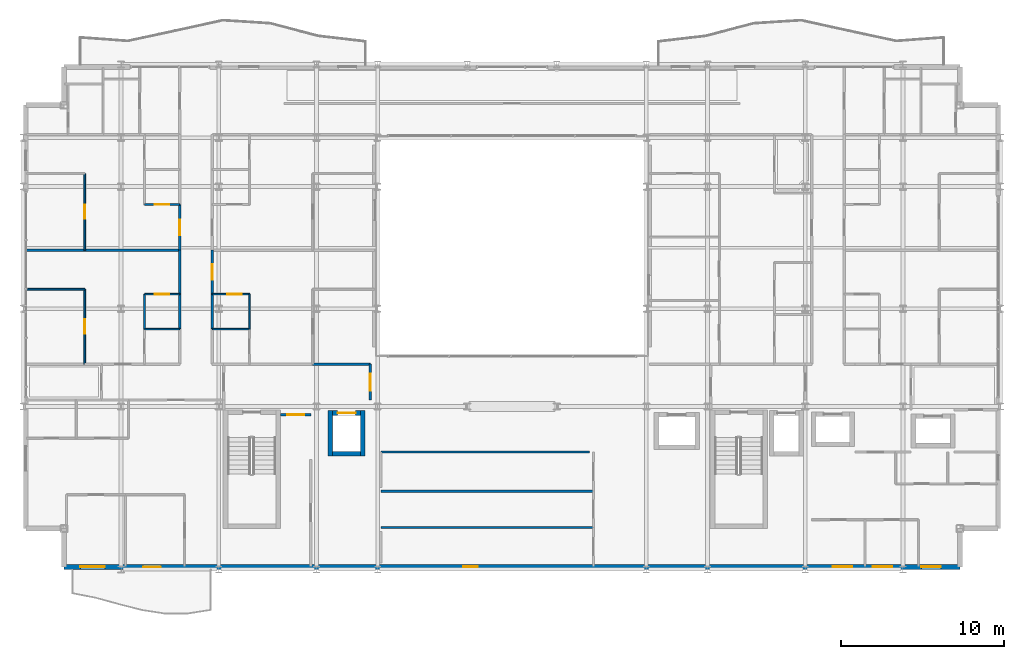
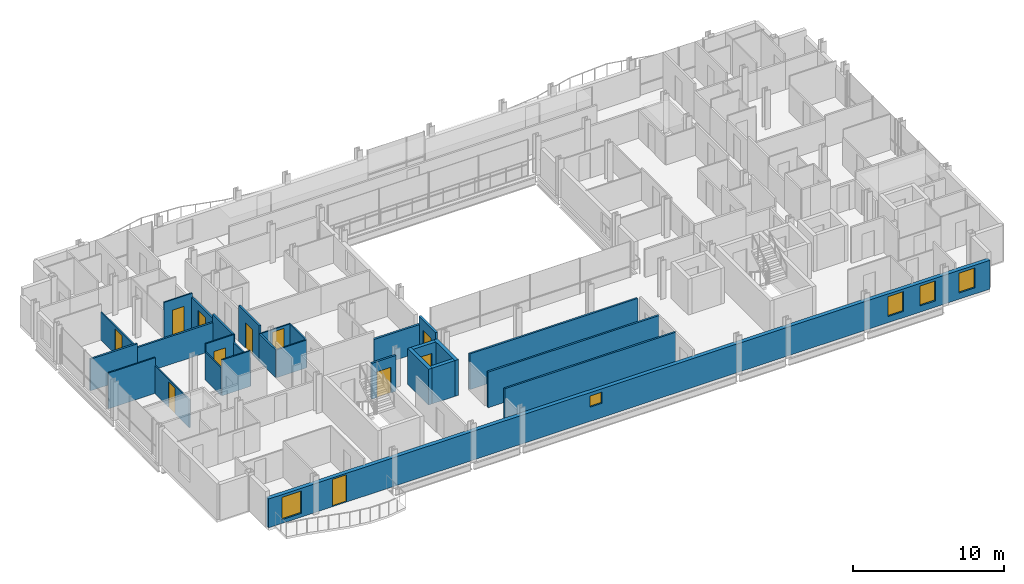
# One storey, part 32 of 41: 28 walls, 11 doors, 5 windows, 16 openings.
"""IFC4 building model written with IfcOpenShell, lengths in metres."""

from ifc_helpers import new_model, si_unit, direction, frame, frame_2d, origin, place, context, subcontext, project, spatial, rectangle, extrude, material, layer, layer_set, type_object, element, fill, save


model = new_model("IFC4")

# Units and contexts
model_context = context("Model", 3, precision=1e-05, world=origin(), true_north=direction((0.0, 1.0)))
body_context = subcontext(model_context, "Body", "Model", "MODEL_VIEW")
ifc_project = project(units=[si_unit("LENGTHUNIT", "METRE"), si_unit("AREAUNIT", "SQUARE_METRE"), si_unit("VOLUMEUNIT", "CUBIC_METRE"), si_unit("PLANEANGLEUNIT", "RADIAN"), si_unit("MASSUNIT", "GRAM", prefix="KILO")], contexts=[model_context])

# Site, building, storey
site_placement = place(None, origin())
site = spatial("IfcSite", under=ifc_project, at=site_placement, CompositionType="ELEMENT")
building_placement = place(site_placement, origin())
building = spatial("IfcBuilding", under=site, at=building_placement, Name="Brevholm Reach", CompositionType="ELEMENT")
storey_placement = place(building_placement, frame((0.0, 0.0, 112.800048828125)))
storey = spatial("IfcBuildingStorey", under=building, at=storey_placement, Name="L33", CompositionType="ELEMENT", Elevation=112.800048828125)

# Walls
ifc_material_1 = material(Name="Concrete C50/60", Category="concrete")
ifc_layer_1 = layer(ifc_material_1, 0.280029296875)
ifc_layer_set_1 = layer_set([ifc_layer_1], Name="Concrete C50/60")
wall_type_1 = type_object("IfcWallType", Name="WAL-COR-280", PredefinedType="SHEAR", material=ifc_layer_set_1)
for number, where, z_axis, x_axis, name in (
    (1, (18.85009765625, 6.9599609375, 0.0), (0.0, 0.0, 1.0), (0.0, 1.0, 0.0), "L33 Lift FFL-1 Shaft Wall W"),
    (2, (20.85009765625, 6.9599609375, 0.0), (0.0, 0.0, 1.0), (0.0, 1.0, 0.0), "L33 Lift FFL-1 Shaft Wall E"),
):
    element("IfcWall", number, at=place(storey_placement, frame(where, z_axis=z_axis, x_axis=x_axis)), inside=storey, type_object=wall_type_1, Name=name, PredefinedType="SHEAR", context=body_context, shape_type="SweptSolid", body=[
        extrude(rectangle(XDim=2.780029296875, YDim=0.280029296875, at=frame_2d((1.39013671875, 0.0))), origin(), (0.0, 0.0, 1.0), 2.8798828125),
    ])
wall_1_placement = place(storey_placement, frame((18.989990234375, 7.10009765625, 0.0), z_axis=(0.0, 0.0, 1.0), x_axis=(1.0, 0.0, 0.0)))
element("IfcWall", 3, at=wall_1_placement, inside=storey, type_object=wall_type_1, Name="L33 Lift FFL-1 Shaft Wall S", PredefinedType="SHEAR", context=body_context, shape_type="SweptSolid", body=[
    extrude(rectangle(XDim=1.719970703125, YDim=0.280029296875, at=frame_2d((0.85986328125, 0.0))), origin(), (0.0, 0.0, 1.0), 2.8798828125),
])

# Wall, opening, door
wall_2_placement = place(storey_placement, frame((18.989990234375, 9.60009765625, 0.0), z_axis=(0.0, 0.0, 1.0), x_axis=(1.0, 0.0, 0.0)))
wall_2 = element("IfcWall", 4, at=wall_2_placement, inside=storey, type_object=wall_type_1, Name="L33 Lift FFL-1 Shaft Wall N", PredefinedType="SHEAR", context=body_context, shape_type="SweptSolid", body=[
    extrude(rectangle(XDim=1.719970703125, YDim=0.280029296875, at=frame_2d((0.85986328125, 0.0))), origin(), (0.0, 0.0, 1.0), 2.8798828125),
])
opening_1_placement = place(wall_2_placement, frame((0.31005859375, 0.0, 0.0)))
opening_1 = element("IfcOpeningElement", 5, at=opening_1_placement, cuts=wall_2, Name="Opening LD-FFL-1", PredefinedType="OPENING", context=body_context, shape_type="SweptSolid", body=[
    extrude(rectangle(XDim=1.10009765625, YDim=2.06005859375, at=frame_2d((0.550048828125, 1.030029296875))), frame((0.0, 0.14990234375, 0.0), z_axis=(0.0, -1.0, 0.0), x_axis=(1.0, 0.0, 0.0)), (0.0, 0.0, 1.0), 0.300048828125),
])
ifc_material_2 = material(Name="Brushed Stainless Steel Fire-Rated Sliding Lift Door", Category="steel")
door_type_1 = type_object("IfcDoorType", Name="DOR-LFT-1100", OperationType="NOTDEFINED", PredefinedType="DOOR", material=ifc_material_2)
door_1_placement = place(opening_1_placement, origin())
door_1 = element("IfcDoor", 6, at=door_1_placement, inside=storey, type_object=door_type_1, Name="L33 Lift FFL-1 Sliding Landing Door", OperationType="SLIDING_TO_LEFT", OverallHeight=2.06005859375, OverallWidth=1.10009765625, PredefinedType="DOOR", context=body_context, shape_type="SweptSolid", body=[
    extrude(rectangle(XDim=1.10009765625, YDim=2.06005859375, at=frame_2d((0.550048828125, 1.030029296875))), frame((0.0, 0.02490234375, 0.0), z_axis=(0.0, -1.0, 0.0), x_axis=(1.0, 0.0, 0.0)), (0.0, 0.0, 1.0), 0.050048828125),
])
fill(opening_1, door_1)

# Wall, openings, door, windows
ifc_material_3 = material(Name="Concrete C40/50", Category="concrete")
ifc_layer_2 = layer(ifc_material_3, 0.300048828125)
ifc_layer_set_2 = layer_set([ifc_layer_2], Name="Concrete C40/50")
wall_type_2 = type_object("IfcWallType", Name="WAL-EXT-300", PredefinedType="STANDARD", material=ifc_layer_set_2)
wall_3_placement = place(storey_placement, frame((2.5, 0.14990234375, 0.0), z_axis=(0.0, 0.0, 1.0), x_axis=(1.0, 0.0, 0.0)))
wall_3 = element("IfcWall", 7, at=wall_3_placement, inside=storey, type_object=wall_type_2, Name="L33 Facade Wall WAL-L33-S", PredefinedType="STANDARD", context=body_context, shape_type="SweptSolid", body=[
    extrude(rectangle(XDim=55.0, YDim=0.300048828125, at=frame_2d((27.5, 0.0))), origin(), (0.0, 0.0, 1.0), 2.32177734375),
])
opening_2_placement = place(wall_3_placement, frame((4.85009765625, 0.0, 0.0)))
opening_2 = element("IfcOpeningElement", 8, at=opening_2_placement, cuts=wall_3, Name="Opening BD-01", PredefinedType="OPENING", context=body_context, shape_type="SweptSolid", body=[
    extrude(rectangle(XDim=1.10009765625, YDim=2.199951171875, at=frame_2d((0.550048828125, 1.10009765625))), frame((0.0, 0.159912109375, 0.0), z_axis=(0.0, -1.0, 0.0), x_axis=(1.0, 0.0, 0.0)), (0.0, 0.0, 1.0), 0.320068359375),
])
opening_3_placement = place(wall_3_placement, frame((1.0, 0.0, 0.302001953125)))
opening_3 = element("IfcOpeningElement", 9, at=opening_3_placement, cuts=wall_3, Name="Opening WN-05", PredefinedType="OPENING", context=body_context, shape_type="SweptSolid", body=[
    extrude(rectangle(XDim=1.5, YDim=1.800048828125, at=frame_2d((0.75, 0.89990234375))), frame((0.0, 0.159912109375, 0.0), z_axis=(0.0, -1.0, 0.0), x_axis=(1.0, 0.0, 0.0)), (0.0, 0.0, 1.0), 0.320068359375),
])
opening_4_placement = place(wall_3_placement, frame((24.5, 0.0, 1.14990234375)))
opening_4 = element("IfcOpeningElement", 10, at=opening_4_placement, cuts=wall_3, Name="Opening WN-09", PredefinedType="OPENING", context=body_context, shape_type="SweptSolid", body=[
    extrude(rectangle(XDim=0.89990234375, YDim=0.89990234375, at=frame_2d((0.449951171875, 0.449951171875))), frame((0.0, 0.159912109375, 0.0), z_axis=(0.0, -1.0, 0.0), x_axis=(1.0, 0.0, 0.0)), (0.0, 0.0, 1.0), 0.320068359375),
])
opening_5_placement = place(wall_3_placement, frame((47.199951171875, 0.0, 0.501953125)))
opening_5 = element("IfcOpeningElement", 11, at=opening_5_placement, cuts=wall_3, Name="Opening WN-08", PredefinedType="OPENING", context=body_context, shape_type="SweptSolid", body=[
    extrude(rectangle(XDim=1.199951171875, YDim=1.60009765625, at=frame_2d((0.60009765625, 0.800048828125))), frame((0.0, 0.159912109375, 0.0), z_axis=(0.0, -1.0, 0.0), x_axis=(1.0, 0.0, 0.0)), (0.0, 0.0, 1.0), 0.320068359375),
])
opening_6_placement = place(wall_3_placement, frame((52.6298828125, 0.0, 0.501953125)))
opening_6 = element("IfcOpeningElement", 12, at=opening_6_placement, cuts=wall_3, Name="Opening WN-08", PredefinedType="OPENING", context=body_context, shape_type="SweptSolid", body=[
    extrude(rectangle(XDim=1.199951171875, YDim=1.60009765625, at=frame_2d((0.60009765625, 0.800048828125))), frame((0.0, 0.159912109375, 0.0), z_axis=(0.0, -1.0, 0.0), x_axis=(1.0, 0.0, 0.0)), (0.0, 0.0, 1.0), 0.320068359375),
])
opening_7_placement = place(wall_3_placement, frame((49.643310546875, 0.0, 0.501953125)))
opening_7 = element("IfcOpeningElement", 13, at=opening_7_placement, cuts=wall_3, Name="Opening WN-08", PredefinedType="OPENING", context=body_context, shape_type="SweptSolid", body=[
    extrude(rectangle(XDim=1.199951171875, YDim=1.60009765625, at=frame_2d((0.60009765625, 0.800048828125))), frame((0.0, 0.159912109375, 0.0), z_axis=(0.0, -1.0, 0.0), x_axis=(1.0, 0.0, 0.0)), (0.0, 0.0, 1.0), 0.320068359375),
])
ifc_material_4 = material(Name="Dark Anodised Aluminium and Triple-Glazed Glass", Category="aluminium")
door_type_2 = type_object("IfcDoorType", Name="DOR-BALC-1100", OperationType="NOTDEFINED", PredefinedType="DOOR", material=ifc_material_4)
door_2_placement = place(opening_2_placement, origin())
door_2 = element("IfcDoor", 14, at=door_2_placement, inside=storey, type_object=door_type_2, Name="L33 Exterior Door DOR-L33-BL-SW", OperationType="SINGLE_SWING_LEFT", OverallHeight=2.199951171875, OverallWidth=1.10009765625, PredefinedType="DOOR", context=body_context, shape_type="SweptSolid", body=[
    extrude(rectangle(XDim=1.10009765625, YDim=2.199951171875, at=frame_2d((0.550048828125, 1.10009765625))), frame((0.0, 0.02490234375, 0.0), z_axis=(0.0, -1.0, 0.0), x_axis=(1.0, 0.0, 0.0)), (0.0, 0.0, 1.0), 0.050048828125),
])
fill(opening_2, door_2)
ifc_material_5 = material(Name="Dark Anodised Aluminium and Solar-Control IGU Glass", Category="aluminium")
window_type_1 = type_object("IfcWindowType", Name="WIN-POR-0900", PartitioningType="SINGLE_PANEL", PredefinedType="WINDOW", material=ifc_material_5)
window_1_placement = place(opening_4_placement, origin())
window_1 = element("IfcWindow", 15, at=window_1_placement, inside=storey, type_object=window_type_1, Name="L33 Window WIN-L33-S-POR", OverallHeight=0.89990234375, OverallWidth=0.89990234375, PartitioningType="SINGLE_PANEL", PredefinedType="WINDOW", context=body_context, shape_type="SweptSolid", body=[
    extrude(rectangle(XDim=0.89990234375, YDim=0.89990234375, at=frame_2d((0.449951171875, 0.449951171875))), frame((0.0, 0.030029296875, 0.0), z_axis=(0.0, -1.0, 0.0), x_axis=(1.0, 0.0, 0.0)), (0.0, 0.0, 1.0), 0.06005859375),
])
fill(opening_4, window_1)
ifc_material_6 = material(Name="Dark Anodised Aluminium and Solar-Control IGU Glass", Category="aluminium")
window_type_2 = type_object("IfcWindowType", Name="WIN-RES-1200", PartitioningType="SINGLE_PANEL", PredefinedType="WINDOW", material=ifc_material_6)
window_2_placement = place(opening_5_placement, origin())
window_2 = element("IfcWindow", 16, at=window_2_placement, inside=storey, type_object=window_type_2, Name="L33 Window WIN-L33-S-E1", OverallHeight=1.60009765625, OverallWidth=1.199951171875, PartitioningType="SINGLE_PANEL", PredefinedType="WINDOW", context=body_context, shape_type="SweptSolid", body=[
    extrude(rectangle(XDim=1.199951171875, YDim=1.60009765625, at=frame_2d((0.60009765625, 0.800048828125))), frame((0.0, 0.030029296875, 0.0), z_axis=(0.0, -1.0, 0.0), x_axis=(1.0, 0.0, 0.0)), (0.0, 0.0, 1.0), 0.06005859375),
])
fill(opening_5, window_2)
window_3_placement = place(opening_6_placement, origin())
window_3 = element("IfcWindow", 17, at=window_3_placement, inside=storey, type_object=window_type_2, Name="L33 Window WIN-L33-S-E2", OverallHeight=1.60009765625, OverallWidth=1.199951171875, PartitioningType="SINGLE_PANEL", PredefinedType="WINDOW", context=body_context, shape_type="SweptSolid", body=[
    extrude(rectangle(XDim=1.199951171875, YDim=1.60009765625, at=frame_2d((0.60009765625, 0.800048828125))), frame((0.0, 0.030029296875, 0.0), z_axis=(0.0, -1.0, 0.0), x_axis=(1.0, 0.0, 0.0)), (0.0, 0.0, 1.0), 0.06005859375),
])
fill(opening_6, window_3)
window_4_placement = place(opening_7_placement, origin())
window_4 = element("IfcWindow", 18, at=window_4_placement, inside=storey, type_object=window_type_2, Name="L33 Bedroom Window 037", OverallHeight=1.60009765625, OverallWidth=1.199951171875, PartitioningType="SINGLE_PANEL", PredefinedType="WINDOW", context=body_context, shape_type="SweptSolid", body=[
    extrude(rectangle(XDim=1.199951171875, YDim=1.60009765625, at=frame_2d((0.60009765625, 0.800048828125))), frame((0.0, 0.030029296875, 0.0), z_axis=(0.0, -1.0, 0.0), x_axis=(1.0, 0.0, 0.0)), (0.0, 0.0, 1.0), 0.06005859375),
])
fill(opening_7, window_4)
ifc_material_7 = material(Name="Dark Anodised Aluminium and Solar-Control IGU Glass", Category="aluminium")
window_type_3 = type_object("IfcWindowType", Name="WIN-RES-1500", PartitioningType="SINGLE_PANEL", PredefinedType="WINDOW", material=ifc_material_7)
window_5_placement = place(opening_3_placement, origin())
window_5 = element("IfcWindow", 19, at=window_5_placement, inside=storey, type_object=window_type_3, Name="L33 Window WIN-L33-S-W1", OverallHeight=1.800048828125, OverallWidth=1.5, PartitioningType="SINGLE_PANEL", PredefinedType="WINDOW", context=body_context, shape_type="SweptSolid", body=[
    extrude(rectangle(XDim=1.5, YDim=1.800048828125, at=frame_2d((0.75, 0.89990234375))), frame((0.0, 0.030029296875, 0.0), z_axis=(0.0, -1.0, 0.0), x_axis=(1.0, 0.0, 0.0)), (0.0, 0.0, 1.0), 0.06005859375),
])
fill(opening_3, window_5)

# Wall
ifc_material_8 = material(Name="Moisture-Resistant Acoustic Gypsum Stud Partition 100 mm", Category="gypsum")
ifc_layer_3 = layer(ifc_material_8, 0.10009765625)
ifc_layer_set_3 = layer_set([ifc_layer_3], Name="Moisture-Resistant Acoustic Gypsum Stud Partition 100 mm")
wall_type_3 = type_object("IfcWallType", Name="WAL-PRT-100", PredefinedType="PARTITIONING", material=ifc_layer_set_3)
wall_4_placement = place(storey_placement, frame((7.43798828125, 14.75, 0.0), z_axis=(0.0, 0.0, 1.0), x_axis=(1.0, 0.0, 0.0)))
element("IfcWall", 20, at=wall_4_placement, inside=storey, type_object=wall_type_3, Name="L33 Internal Partition 087", PredefinedType="PARTITIONING", context=body_context, shape_type="SweptSolid", body=[
    extrude(rectangle(XDim=2.157958984375, YDim=0.10009765625, at=frame_2d((1.0791015625, 0.0))), origin(), (0.0, 0.0, 1.0), 2.8798828125),
])

# Wall, opening, door
wall_5_placement = place(storey_placement, frame((7.43798828125, 16.89990234375, 0.0), z_axis=(0.0, 0.0, 1.0), x_axis=(1.0, 0.0, 0.0)))
wall_5 = element("IfcWall", 21, at=wall_5_placement, inside=storey, type_object=wall_type_3, Name="L33 Internal Partition 089", PredefinedType="PARTITIONING", context=body_context, shape_type="SweptSolid", body=[
    extrude(rectangle(XDim=2.157958984375, YDim=0.10009765625, at=frame_2d((1.0791015625, 0.0))), origin(), (0.0, 0.0, 1.0), 2.8798828125),
])
opening_8_placement = place(wall_5_placement, frame((0.638916015625, 0.0, 0.0)))
opening_8 = element("IfcOpeningElement", 22, at=opening_8_placement, cuts=wall_5, Name="Opening ID-01", PredefinedType="OPENING", context=body_context, shape_type="SweptSolid", body=[
    extrude(rectangle(XDim=0.8798828125, YDim=2.0400390625, at=frame_2d((0.43994140625, 1.02001953125))), frame((0.0, 0.06005859375, 0.0), z_axis=(0.0, -1.0, 0.0), x_axis=(1.0, 0.0, 0.0)), (0.0, 0.0, 1.0), 0.1201171875),
])
ifc_material_9 = material(Name="Lacquered Ash Solid-Core Acoustic Internal Door", Category="timber")
door_type_3 = type_object("IfcDoorType", Name="DOR-INT-880", OperationType="NOTDEFINED", PredefinedType="DOOR", material=ifc_material_9)
door_3_placement = place(opening_8_placement, origin())
door_3 = element("IfcDoor", 23, at=door_3_placement, inside=storey, type_object=door_type_3, Name="L33 Internal Door 033", OperationType="SINGLE_SWING_LEFT", OverallHeight=2.0400390625, OverallWidth=0.8798828125, PredefinedType="DOOR", context=body_context, shape_type="SweptSolid", body=[
    extrude(rectangle(XDim=0.8798828125, YDim=2.0400390625, at=frame_2d((0.43994140625, 1.02001953125))), frame((0.0, 0.02490234375, 0.0), z_axis=(0.0, -1.0, 0.0), x_axis=(1.0, 0.0, 0.0)), (0.0, 0.0, 1.0), 0.050048828125),
])
fill(opening_8, door_3)

# Wall
wall_6_placement = place(storey_placement, frame((7.43798828125, 14.75390625, 0.0), z_axis=(0.0, 0.0, 1.0), x_axis=(0.0, 1.0, 0.0)))
element("IfcWall", 24, at=wall_6_placement, inside=storey, type_object=wall_type_3, Name="L33 Internal Partition 090", PredefinedType="PARTITIONING", context=body_context, shape_type="SweptSolid", body=[
    extrude(rectangle(XDim=2.14599609375, YDim=0.10009765625, at=frame_2d((1.072998046875, 0.0))), origin(), (0.0, 0.0, 1.0), 2.24267578125),
])

# Wall, opening, door
wall_7_placement = place(storey_placement, frame((3.77197265625, 12.60400390625, 0.0), z_axis=(0.0, 0.0, 1.0), x_axis=(0.0, 1.0, 0.0)))
wall_7 = element("IfcWall", 25, at=wall_7_placement, inside=storey, type_object=wall_type_3, Name="L33 Internal Partition 091", PredefinedType="PARTITIONING", context=body_context, shape_type="SweptSolid", body=[
    extrude(rectangle(XDim=4.595947265625, YDim=0.10009765625, at=frame_2d((2.2978515625, 0.0))), origin(), (0.0, 0.0, 1.0), 2.24267578125),
])
opening_9_placement = place(wall_7_placement, frame((1.85791015625, 0.0, 0.0)))
opening_9 = element("IfcOpeningElement", 26, at=opening_9_placement, cuts=wall_7, Name="Opening ID-01", PredefinedType="OPENING", context=body_context, shape_type="SweptSolid", body=[
    extrude(rectangle(XDim=0.8798828125, YDim=2.0400390625, at=frame_2d((0.43994140625, 1.02001953125))), frame((0.0, 0.06005859375, 0.0), z_axis=(0.0, -1.0, 0.0), x_axis=(1.0, 0.0, 0.0)), (0.0, 0.0, 1.0), 0.1201171875),
])
door_4_placement = place(opening_9_placement, origin())
door_4 = element("IfcDoor", 27, at=door_4_placement, inside=storey, type_object=door_type_3, Name="L33 Internal Door 034", OperationType="SINGLE_SWING_RIGHT", OverallHeight=2.0400390625, OverallWidth=0.8798828125, PredefinedType="DOOR", context=body_context, shape_type="SweptSolid", body=[
    extrude(rectangle(XDim=0.8798828125, YDim=2.0400390625, at=frame_2d((0.43994140625, 1.02001953125))), frame((0.0, 0.02490234375, 0.0), z_axis=(0.0, -1.0, 0.0), x_axis=(1.0, 0.0, 0.0)), (0.0, 0.0, 1.0), 0.050048828125),
])
fill(opening_9, door_4)

# Wall
wall_8_placement = place(storey_placement, frame((0.199951171875, 17.199951171875, 0.0), z_axis=(0.0, 0.0, 1.0), x_axis=(1.0, 0.0, 0.0)))
element("IfcWall", 28, at=wall_8_placement, inside=storey, type_object=wall_type_3, Name="L33 Internal Partition 092", PredefinedType="PARTITIONING", context=body_context, shape_type="SweptSolid", body=[
    extrude(rectangle(XDim=3.572021484375, YDim=0.10009765625, at=frame_2d((1.7861328125, 0.0))), origin(), (0.0, 0.0, 1.0), 2.8798828125),
])

# Wall, opening, door
wall_9_placement = place(storey_placement, frame((7.43798828125, 22.39990234375, 0.0), z_axis=(0.0, 0.0, 1.0), x_axis=(1.0, 0.0, 0.0)))
wall_9 = element("IfcWall", 29, at=wall_9_placement, inside=storey, type_object=wall_type_3, Name="L33 Internal Partition 098", PredefinedType="PARTITIONING", context=body_context, shape_type="SweptSolid", body=[
    extrude(rectangle(XDim=2.157958984375, YDim=0.10009765625, at=frame_2d((1.0791015625, 0.0))), origin(), (0.0, 0.0, 1.0), 2.8798828125),
])
opening_10_placement = place(wall_9_placement, frame((0.638916015625, 0.0, 0.0)))
opening_10 = element("IfcOpeningElement", 30, at=opening_10_placement, cuts=wall_9, Name="Opening ID-01", PredefinedType="OPENING", context=body_context, shape_type="SweptSolid", body=[
    extrude(rectangle(XDim=0.8798828125, YDim=2.0400390625, at=frame_2d((0.43994140625, 1.02001953125))), frame((0.0, 0.06005859375, 0.0), z_axis=(0.0, -1.0, 0.0), x_axis=(1.0, 0.0, 0.0)), (0.0, 0.0, 1.0), 0.1201171875),
])
door_5_placement = place(opening_10_placement, origin())
door_5 = element("IfcDoor", 31, at=door_5_placement, inside=storey, type_object=door_type_3, Name="L33 Internal Door 036", OperationType="SINGLE_SWING_RIGHT", OverallHeight=2.0400390625, OverallWidth=0.8798828125, PredefinedType="DOOR", context=body_context, shape_type="SweptSolid", body=[
    extrude(rectangle(XDim=0.8798828125, YDim=2.0400390625, at=frame_2d((0.43994140625, 1.02001953125))), frame((0.0, 0.02490234375, 0.0), z_axis=(0.0, -1.0, 0.0), x_axis=(1.0, 0.0, 0.0)), (0.0, 0.0, 1.0), 0.050048828125),
])
fill(opening_10, door_5)

wall_10_placement = place(storey_placement, frame((3.77197265625, 19.60400390625, 0.0), z_axis=(0.0, 0.0, 1.0), x_axis=(0.0, 1.0, 0.0)))
wall_10 = element("IfcWall", 32, at=wall_10_placement, inside=storey, type_object=wall_type_3, Name="L33 Internal Partition 100", PredefinedType="PARTITIONING", context=body_context, shape_type="SweptSolid", body=[
    extrude(rectangle(XDim=4.696044921875, YDim=0.10009765625, at=frame_2d((2.34814453125, 0.0))), origin(), (0.0, 0.0, 1.0), 2.24267578125),
])
opening_11_placement = place(wall_10_placement, frame((1.907958984375, 0.0, 0.0)))
opening_11 = element("IfcOpeningElement", 33, at=opening_11_placement, cuts=wall_10, Name="Opening ID-01", PredefinedType="OPENING", context=body_context, shape_type="SweptSolid", body=[
    extrude(rectangle(XDim=0.8798828125, YDim=2.0400390625, at=frame_2d((0.43994140625, 1.02001953125))), frame((0.0, 0.06005859375, 0.0), z_axis=(0.0, -1.0, 0.0), x_axis=(1.0, 0.0, 0.0)), (0.0, 0.0, 1.0), 0.1201171875),
])
door_6_placement = place(opening_11_placement, origin())
door_6 = element("IfcDoor", 34, at=door_6_placement, inside=storey, type_object=door_type_3, Name="L33 Internal Door 037", OperationType="SINGLE_SWING_LEFT", OverallHeight=2.0400390625, OverallWidth=0.8798828125, PredefinedType="DOOR", context=body_context, shape_type="SweptSolid", body=[
    extrude(rectangle(XDim=0.8798828125, YDim=2.0400390625, at=frame_2d((0.43994140625, 1.02001953125))), frame((0.0, 0.02490234375, 0.0), z_axis=(0.0, -1.0, 0.0), x_axis=(1.0, 0.0, 0.0)), (0.0, 0.0, 1.0), 0.050048828125),
])
fill(opening_11, door_6)

# Walls
wall_11_placement = place(storey_placement, frame((11.60400390625, 14.75, 0.0), z_axis=(0.0, 0.0, 1.0), x_axis=(1.0, 0.0, 0.0)))
element("IfcWall", 35, at=wall_11_placement, inside=storey, type_object=wall_type_3, Name="L33 Internal Partition 106", PredefinedType="PARTITIONING", context=body_context, shape_type="SweptSolid", body=[
    extrude(rectangle(XDim=2.284912109375, YDim=0.10009765625, at=frame_2d((1.142578125, 0.0))), origin(), (0.0, 0.0, 1.0), 2.24267578125),
])
wall_12_placement = place(storey_placement, frame((13.888916015625, 14.75390625, 0.0), z_axis=(0.0, 0.0, 1.0), x_axis=(0.0, 1.0, 0.0)))
element("IfcWall", 36, at=wall_12_placement, inside=storey, type_object=wall_type_3, Name="L33 Internal Partition 108", PredefinedType="PARTITIONING", context=body_context, shape_type="SweptSolid", body=[
    extrude(rectangle(XDim=2.14599609375, YDim=0.10009765625, at=frame_2d((1.072998046875, 0.0))), origin(), (0.0, 0.0, 1.0), 2.24267578125),
])

# Wall, opening, door
wall_13_placement = place(storey_placement, frame((11.60400390625, 16.89990234375, 0.0), z_axis=(0.0, 0.0, 1.0), x_axis=(1.0, 0.0, 0.0)))
wall_13 = element("IfcWall", 37, at=wall_13_placement, inside=storey, type_object=wall_type_3, Name="L33 Internal Partition 109", PredefinedType="PARTITIONING", context=body_context, shape_type="SweptSolid", body=[
    extrude(rectangle(XDim=2.284912109375, YDim=0.10009765625, at=frame_2d((1.142578125, 0.0))), origin(), (0.0, 0.0, 1.0), 2.24267578125),
])
opening_12_placement = place(wall_13_placement, frame((0.922607421875, 0.0, 0.0)))
opening_12 = element("IfcOpeningElement", 38, at=opening_12_placement, cuts=wall_13, Name="Opening ID-01", PredefinedType="OPENING", context=body_context, shape_type="SweptSolid", body=[
    extrude(rectangle(XDim=0.8798828125, YDim=2.0400390625, at=frame_2d((0.43994140625, 1.02001953125))), frame((0.0, 0.06005859375, 0.0), z_axis=(0.0, -1.0, 0.0), x_axis=(1.0, 0.0, 0.0)), (0.0, 0.0, 1.0), 0.1201171875),
])
door_7_placement = place(opening_12_placement, origin())
door_7 = element("IfcDoor", 39, at=door_7_placement, inside=storey, type_object=door_type_3, Name="L33 Internal Door 039", OperationType="SINGLE_SWING_LEFT", OverallHeight=2.0400390625, OverallWidth=0.8798828125, PredefinedType="DOOR", context=body_context, shape_type="SweptSolid", body=[
    extrude(rectangle(XDim=0.8798828125, YDim=2.0400390625, at=frame_2d((0.43994140625, 1.02001953125))), frame((0.0, 0.02490234375, 0.0), z_axis=(0.0, -1.0, 0.0), x_axis=(1.0, 0.0, 0.0)), (0.0, 0.0, 1.0), 0.050048828125),
])
fill(opening_12, door_7)

# Walls
ifc_material_10 = material(Name="Twin-Stud Acoustic Fire-Rated Gypsum Partition 140 mm", Category="gypsum")
ifc_layer_4 = layer(ifc_material_10, 0.139892578125)
ifc_layer_set_4 = layer_set([ifc_layer_4], Name="Twin-Stud Acoustic Fire-Rated Gypsum Partition 140 mm")
wall_type_4 = type_object("IfcWallType", Name="WAL-PRT-140", PredefinedType="PARTITIONING", material=ifc_layer_set_4)
for number, where, z_axis, x_axis, name in (
    (40, (21.949951171875, 2.576904296875, 0.0), (0.0, 0.0, 1.0), (1.0, 0.0, 0.0), "L33 Internal Partition 004"),
    (41, (21.949951171875, 4.7890625, 0.0), (0.0, 0.0, 1.0), (1.0, 0.0, 0.0), "L33 Internal Partition 005"),
):
    element("IfcWall", number, at=place(storey_placement, frame(where, z_axis=z_axis, x_axis=x_axis)), inside=storey, type_object=wall_type_4, Name=name, PredefinedType="PARTITIONING", context=body_context, shape_type="SweptSolid", body=[
        extrude(rectangle(XDim=13.046142578125, YDim=0.139892578125, at=frame_2d((6.52294921875, 0.0))), origin(), (0.0, 0.0, 1.0), 2.8798828125),
    ])
wall_14_placement = place(storey_placement, frame((9.60009765625, 14.74267578125, 0.0), z_axis=(0.0, 0.0, 1.0), x_axis=(0.0, 1.0, 0.0)))
element("IfcWall", 42, at=wall_14_placement, inside=storey, type_object=wall_type_4, Name="L33 Internal Partition 034", PredefinedType="PARTITIONING", context=body_context, shape_type="SweptSolid", body=[
    extrude(rectangle(XDim=2.168701171875, YDim=0.139892578125, at=frame_2d((1.08447265625, 0.0))), origin(), (0.0, 0.0, 1.0), 2.24267578125),
])
wall_15_placement = place(storey_placement, frame((9.60009765625, 16.892578125, 0.0), z_axis=(0.0, 0.0, 1.0), x_axis=(0.0, 1.0, 0.0)))
element("IfcWall", 43, at=wall_15_placement, inside=storey, type_object=wall_type_4, Name="L33 Internal Partition 035", PredefinedType="PARTITIONING", context=body_context, shape_type="SweptSolid", body=[
    extrude(rectangle(XDim=2.71875, YDim=0.139892578125, at=frame_2d((1.359375, 0.0))), origin(), (0.0, 0.0, 1.0), 2.8798828125),
])

# Wall, opening, door
wall_16_placement = place(storey_placement, frame((9.60009765625, 19.5927734375, 0.0), z_axis=(0.0, 0.0, 1.0), x_axis=(0.0, 1.0, 0.0)))
wall_16 = element("IfcWall", 44, at=wall_16_placement, inside=storey, type_object=wall_type_4, Name="L33 Internal Partition 038", PredefinedType="PARTITIONING", context=body_context, shape_type="SweptSolid", body=[
    extrude(rectangle(XDim=2.814453125, YDim=0.139892578125, at=frame_2d((1.4072265625, 0.0))), origin(), (0.0, 0.0, 1.0), 2.551513671875),
])
opening_13_placement = place(wall_16_placement, frame((0.932373046875, 0.0, 0.0)))
opening_13 = element("IfcOpeningElement", 45, at=opening_13_placement, cuts=wall_16, Name="Opening ID-30", PredefinedType="OPENING", context=body_context, shape_type="SweptSolid", body=[
    extrude(rectangle(XDim=0.949951171875, YDim=2.050048828125, at=frame_2d((0.47509765625, 1.02490234375))), frame((0.0, 0.079833984375, 0.0), z_axis=(0.0, -1.0, 0.0), x_axis=(1.0, 0.0, 0.0)), (0.0, 0.0, 1.0), 0.159912109375),
])
ifc_material_11 = material(Name="European Oak Veneered Solid-Core Fire Entrance Door", Category="timber")
door_type_4 = type_object("IfcDoorType", Name="DOR-FLT-FD30S", OperationType="NOTDEFINED", PredefinedType="DOOR", material=ifc_material_11)
door_8_placement = place(opening_13_placement, origin())
door_8 = element("IfcDoor", 46, at=door_8_placement, inside=storey, type_object=door_type_4, Name="L33 Internal Door 016", OperationType="SINGLE_SWING_RIGHT", OverallHeight=2.050048828125, OverallWidth=0.949951171875, PredefinedType="DOOR", context=body_context, shape_type="SweptSolid", body=[
    extrude(rectangle(XDim=0.949951171875, YDim=2.050048828125, at=frame_2d((0.47509765625, 1.02490234375))), frame((0.0, 0.02490234375, 0.0), z_axis=(0.0, -1.0, 0.0), x_axis=(1.0, 0.0, 0.0)), (0.0, 0.0, 1.0), 0.050048828125),
])
fill(opening_13, door_8)

# Wall
wall_17_placement = place(storey_placement, frame((11.60009765625, 14.74267578125, 0.0), z_axis=(0.0, 0.0, 1.0), x_axis=(0.0, 1.0, 0.0)))
element("IfcWall", 47, at=wall_17_placement, inside=storey, type_object=wall_type_4, Name="L33 Internal Partition 040", PredefinedType="PARTITIONING", context=body_context, shape_type="SweptSolid", body=[
    extrude(rectangle(XDim=2.168701171875, YDim=0.139892578125, at=frame_2d((1.08447265625, 0.0))), origin(), (0.0, 0.0, 1.0), 2.24267578125),
])

# Wall, opening, door
wall_18_placement = place(storey_placement, frame((11.60009765625, 16.892578125, 0.0), z_axis=(0.0, 0.0, 1.0), x_axis=(0.0, 1.0, 0.0)))
wall_18 = element("IfcWall", 48, at=wall_18_placement, inside=storey, type_object=wall_type_4, Name="L33 Internal Partition 041", PredefinedType="PARTITIONING", context=body_context, shape_type="SweptSolid", body=[
    extrude(rectangle(XDim=2.71875, YDim=0.139892578125, at=frame_2d((1.359375, 0.0))), origin(), (0.0, 0.0, 1.0), 2.8798828125),
])
opening_14_placement = place(wall_18_placement, frame((0.88427734375, 0.0, 0.0)))
opening_14 = element("IfcOpeningElement", 49, at=opening_14_placement, cuts=wall_18, Name="Opening ID-30", PredefinedType="OPENING", context=body_context, shape_type="SweptSolid", body=[
    extrude(rectangle(XDim=0.949951171875, YDim=2.050048828125, at=frame_2d((0.47509765625, 1.02490234375))), frame((0.0, 0.079833984375, 0.0), z_axis=(0.0, -1.0, 0.0), x_axis=(1.0, 0.0, 0.0)), (0.0, 0.0, 1.0), 0.159912109375),
])
door_9_placement = place(opening_14_placement, origin())
door_9 = element("IfcDoor", 50, at=door_9_placement, inside=storey, type_object=door_type_4, Name="L33 Internal Door 017", OperationType="SINGLE_SWING_LEFT", OverallHeight=2.050048828125, OverallWidth=0.949951171875, PredefinedType="DOOR", context=body_context, shape_type="SweptSolid", body=[
    extrude(rectangle(XDim=0.949951171875, YDim=2.050048828125, at=frame_2d((0.47509765625, 1.02490234375))), frame((0.0, 0.02490234375, 0.0), z_axis=(0.0, -1.0, 0.0), x_axis=(1.0, 0.0, 0.0)), (0.0, 0.0, 1.0), 0.050048828125),
])
fill(opening_14, door_9)

# Walls
wall_19_placement = place(storey_placement, frame((0.199951171875, 19.60009765625, 0.0), z_axis=(0.0, 0.0, 1.0), x_axis=(1.0, 0.0, 0.0)))
element("IfcWall", 51, at=wall_19_placement, inside=storey, type_object=wall_type_4, Name="L33 Internal Partition 093", PredefinedType="PARTITIONING", context=body_context, shape_type="SweptSolid", body=[
    extrude(rectangle(XDim=3.583251953125, YDim=0.139892578125, at=frame_2d((1.79150390625, 0.0))), origin(), (0.0, 0.0, 1.0), 2.551513671875),
])
wall_20_placement = place(storey_placement, frame((3.7646484375, 19.60009765625, 0.0), z_axis=(0.0, 0.0, 1.0), x_axis=(1.0, 0.0, 0.0)))
element("IfcWall", 52, at=wall_20_placement, inside=storey, type_object=wall_type_4, Name="L33 Internal Partition 094", PredefinedType="PARTITIONING", context=body_context, shape_type="SweptSolid", body=[
    extrude(rectangle(XDim=5.831298828125, YDim=0.139892578125, at=frame_2d((2.91552734375, 0.0))), origin(), (0.0, 0.0, 1.0), 2.24267578125),
])
wall_21_placement = place(storey_placement, frame((21.949951171875, 7.199951171875, 0.0), z_axis=(0.0, 0.0, 1.0), x_axis=(1.0, 0.0, 0.0)))
element("IfcWall", 53, at=wall_21_placement, inside=storey, type_object=wall_type_4, Name="L33 Internal Partition 164", PredefinedType="PARTITIONING", context=body_context, shape_type="SweptSolid", body=[
    extrude(rectangle(XDim=12.81005859375, YDim=0.139892578125, at=frame_2d((6.405029296875, 0.0))), origin(), (0.0, 0.0, 1.0), 2.8798828125),
])

# Wall, opening, door
ifc_material_12 = material(Name="Twin-Frame Fire-Rated Gypsum Board and Mineral Wool 160 mm", Category="gypsum")
ifc_layer_5 = layer(ifc_material_12, 0.159912109375)
ifc_layer_set_5 = layer_set([ifc_layer_5], Name="Twin-Frame Fire-Rated Gypsum Board and Mineral Wool 160 mm")
wall_type_5 = type_object("IfcWallType", Name="WAL-PRT-160", PredefinedType="PARTITIONING", material=ifc_layer_set_5)
wall_22_placement = place(storey_placement, frame((15.800048828125, 9.5, 0.0), z_axis=(0.0, 0.0, 1.0), x_axis=(1.0, 0.0, 0.0)))
wall_22 = element("IfcWall", 54, at=wall_22_placement, inside=storey, type_object=wall_type_5, Name="L33 Internal Partition 007", PredefinedType="PARTITIONING", context=body_context, shape_type="SweptSolid", body=[
    extrude(rectangle(XDim=1.849853515625, YDim=0.159912109375, at=frame_2d((0.9248046875, 0.0))), origin(), (0.0, 0.0, 1.0), 2.8798828125),
])
opening_15_placement = place(wall_22_placement, frame((0.39990234375, 0.0, 0.0)))
opening_15 = element("IfcOpeningElement", 55, at=opening_15_placement, cuts=wall_22, Name="Opening FD-01", PredefinedType="OPENING", context=body_context, shape_type="SweptSolid", body=[
    extrude(rectangle(XDim=1.050048828125, YDim=2.06005859375, at=frame_2d((0.52490234375, 1.030029296875))), frame((0.0, 0.08984375, 0.0), z_axis=(0.0, -1.0, 0.0), x_axis=(1.0, 0.0, 0.0)), (0.0, 0.0, 1.0), 0.179931640625),
])
ifc_material_13 = material(Name="Hardwood-Lipped Steel-Core Fire and Smoke Door", Category="steel")
door_type_5 = type_object("IfcDoorType", Name="DOR-INT-FD60S", OperationType="NOTDEFINED", PredefinedType="DOOR", material=ifc_material_13)
door_10_placement = place(opening_15_placement, origin())
door_10 = element("IfcDoor", 56, at=door_10_placement, inside=storey, type_object=door_type_5, Name="L33 Internal Door 005", OperationType="SINGLE_SWING_LEFT", OverallHeight=2.06005859375, OverallWidth=1.050048828125, PredefinedType="DOOR", context=body_context, shape_type="SweptSolid", body=[
    extrude(rectangle(XDim=1.050048828125, YDim=2.06005859375, at=frame_2d((0.52490234375, 1.030029296875))), frame((0.0, 0.02490234375, 0.0), z_axis=(0.0, -1.0, 0.0), x_axis=(1.0, 0.0, 0.0)), (0.0, 0.0, 1.0), 0.050048828125),
])
fill(opening_15, door_10)

wall_23_placement = place(storey_placement, frame((21.300048828125, 10.388671875, 0.0), z_axis=(0.0, 0.0, 1.0), x_axis=(0.0, 1.0, 0.0)))
wall_23 = element("IfcWall", 57, at=wall_23_placement, inside=storey, type_object=wall_type_5, Name="L33 Internal Partition 014", PredefinedType="PARTITIONING", context=body_context, shape_type="SweptSolid", body=[
    extrude(rectangle(XDim=2.21142578125, YDim=0.159912109375, at=frame_2d((1.105712890625, 0.0))), origin(), (0.0, 0.0, 1.0), 2.8798828125),
])
opening_16_placement = place(wall_23_placement, frame((0.58056640625, 0.0, 0.0)))
opening_16 = element("IfcOpeningElement", 58, at=opening_16_placement, cuts=wall_23, Name="Opening FD-01", PredefinedType="OPENING", context=body_context, shape_type="SweptSolid", body=[
    extrude(rectangle(XDim=1.050048828125, YDim=2.06005859375, at=frame_2d((0.52490234375, 1.030029296875))), frame((0.0, 0.08984375, 0.0), z_axis=(0.0, -1.0, 0.0), x_axis=(1.0, 0.0, 0.0)), (0.0, 0.0, 1.0), 0.179931640625),
])
door_11_placement = place(opening_16_placement, origin())
door_11 = element("IfcDoor", 59, at=door_11_placement, inside=storey, type_object=door_type_5, Name="L33 Internal Door 010", OperationType="SINGLE_SWING_RIGHT", OverallHeight=2.06005859375, OverallWidth=1.050048828125, PredefinedType="DOOR", context=body_context, shape_type="SweptSolid", body=[
    extrude(rectangle(XDim=1.050048828125, YDim=2.06005859375, at=frame_2d((0.52490234375, 1.030029296875))), frame((0.0, 0.02490234375, 0.0), z_axis=(0.0, -1.0, 0.0), x_axis=(1.0, 0.0, 0.0)), (0.0, 0.0, 1.0), 0.050048828125),
])
fill(opening_16, door_11)

# Wall
wall_24_placement = place(storey_placement, frame((17.7578125, 12.60009765625, 0.0), z_axis=(0.0, 0.0, 1.0), x_axis=(1.0, 0.0, 0.0)))
element("IfcWall", 60, at=wall_24_placement, inside=storey, type_object=wall_type_5, Name="L33 Internal Partition 017", PredefinedType="PARTITIONING", context=body_context, shape_type="SweptSolid", body=[
    extrude(rectangle(XDim=3.542236328125, YDim=0.159912109375, at=frame_2d((1.77099609375, 0.0))), origin(), (0.0, 0.0, 1.0), 2.24267578125),
])

save(model, "model.ifc")
